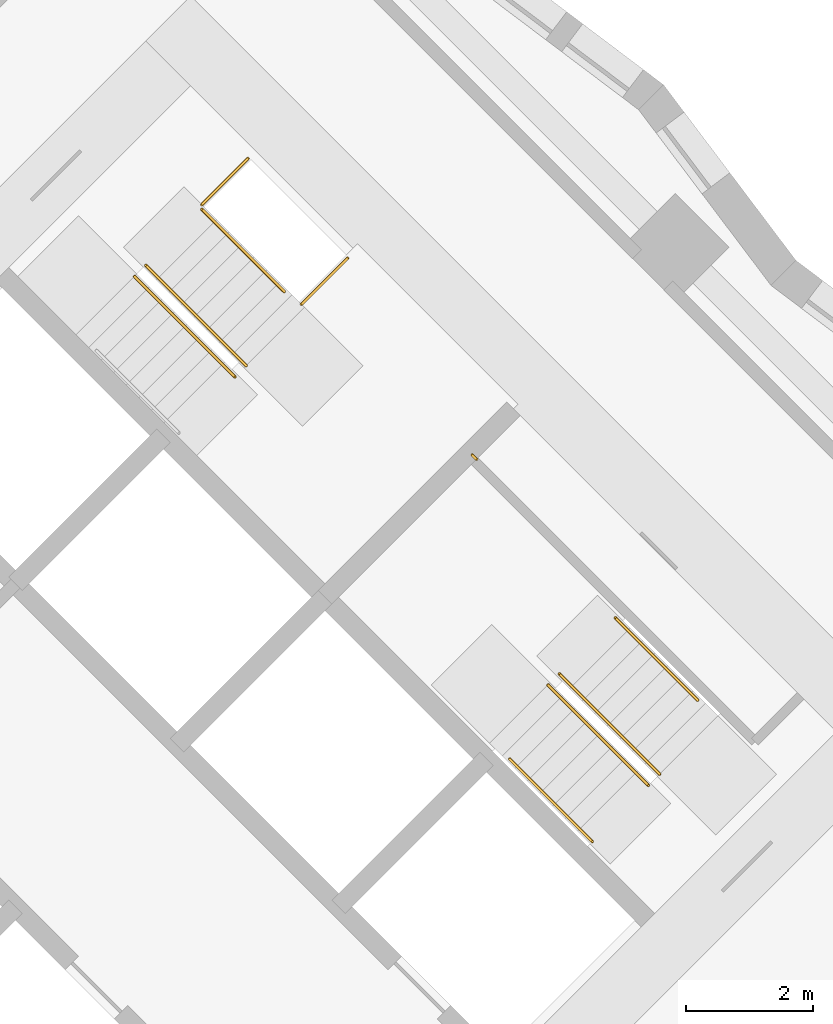
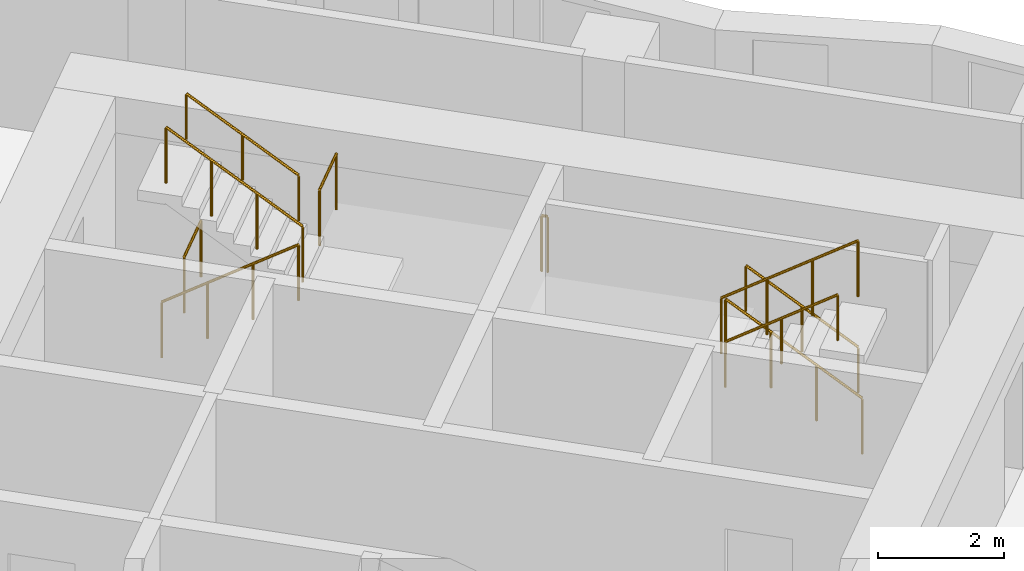
# One storey, part 12 of 12: 10 railings.
"""IFC4 building model written with IfcOpenShell, lengths in metres."""

from ifc_helpers import new_model, si_unit, direction, frame, origin, origin_2d, place, context, subcontext, project, spatial, circle, extrude, material, type_object, element, save


model = new_model("IFC4")

# Units and contexts
model_context = context("Model", 3, precision=1e-05, world=origin(), true_north=direction((0.0, 1.0)))
body_context = subcontext(model_context, "Body", "Model", "MODEL_VIEW")
ifc_project = project(units=[si_unit("LENGTHUNIT", "METRE"), si_unit("AREAUNIT", "SQUARE_METRE"), si_unit("VOLUMEUNIT", "CUBIC_METRE"), si_unit("PLANEANGLEUNIT", "RADIAN"), si_unit("MASSUNIT", "GRAM", prefix="KILO")], contexts=[model_context])

# Site, building, storey
site_placement = place(None, origin())
site = spatial("IfcSite", under=ifc_project, at=site_placement, CompositionType="ELEMENT")
building_placement = place(site_placement, origin())
building = spatial("IfcBuilding", under=site, at=building_placement, Name="Windrow Commons", CompositionType="ELEMENT")
storey_placement = place(building_placement, frame((0.0, 0.0, 47.4)))
storey = spatial("IfcBuildingStorey", under=building, at=storey_placement, Name="L12", CompositionType="ELEMENT", Elevation=47.4)

# Railings
ifc_material_1 = material(Name="Steel S355", Category="steel")
railing_type_1 = type_object("IfcRailingType", Name="Core stair guard 1100", PredefinedType="GUARDRAIL", material=ifc_material_1)
railing_1_placement = place(storey_placement, frame((85.9529, 56.2669, 0.1889)))
element("IfcRailing", 1, at=railing_1_placement, inside=storey, type_object=railing_type_1, Name="L12 ST-B1 stair guard 1", PredefinedType="GUARDRAIL", context=body_context, shape_type="SweptSolid", body=[
    extrude(circle(Radius=0.024, at=origin_2d()), frame((0.0, 0.0, 1.076), z_axis=(0.5861914914, -0.5861914914, 0.5592486664), x_axis=(0.7071067812, 0.7071067812, 0.0)), (0.0, 0.0, 1.0), 2.702),
    extrude(circle(Radius=0.021, at=origin_2d()), origin(), (0.0, 0.0, 1.0), 1.052),
    extrude(circle(Radius=0.021, at=origin_2d()), frame((0.528, -0.528, 0.5037)), (0.0, 0.0, 1.0), 1.052),
    extrude(circle(Radius=0.021, at=origin_2d()), frame((1.0559, -1.0559, 1.0074)), (0.0, 0.0, 1.0), 1.052),
    extrude(circle(Radius=0.021, at=origin_2d()), frame((1.5839, -1.5839, 1.5111)), (0.0, 0.0, 1.0), 1.052),
])
railing_2_placement = place(storey_placement, frame((87.7136, 54.8597, 1.8889)))
element("IfcRailing", 2, at=railing_2_placement, inside=storey, type_object=railing_type_1, Name="L12 ST-B1 stair guard 2", PredefinedType="GUARDRAIL", context=body_context, shape_type="SweptSolid", body=[
    extrude(circle(Radius=0.024, at=origin_2d()), frame((0.0, 0.0, 1.076), z_axis=(-0.5862030657, 0.5862030657, 0.5592244018), x_axis=(-0.7071067812, -0.7071067812, 0.0)), (0.0, 0.0, 1.0), 2.7021),
    extrude(circle(Radius=0.021, at=origin_2d()), origin(), (0.0, 0.0, 1.0), 1.052),
    extrude(circle(Radius=0.021, at=origin_2d()), frame((-0.528, 0.528, 0.5037)), (0.0, 0.0, 1.0), 1.052),
    extrude(circle(Radius=0.021, at=origin_2d()), frame((-1.056, 1.056, 1.0074)), (0.0, 0.0, 1.0), 1.052),
    extrude(circle(Radius=0.021, at=origin_2d()), frame((-1.584, 1.584, 1.5111)), (0.0, 0.0, 1.0), 1.052),
])
railing_3_placement = place(storey_placement, frame((87.0135, 57.3982, 0.0)))
element("IfcRailing", 3, at=railing_3_placement, inside=storey, type_object=railing_type_1, Name="L12 ST-B1 stair guard 3", PredefinedType="GUARDRAIL", context=body_context, shape_type="SweptSolid", body=[
    extrude(circle(Radius=0.024, at=origin_2d()), frame((0.0, 0.0, 1.076), z_axis=(0.7070582378, 0.7071553212, 0.0), x_axis=(-0.7071553212, 0.7070582378, 0.0)), (0.0, 0.0, 1.0), 1.03),
    extrude(circle(Radius=0.021, at=origin_2d()), origin(), (0.0, 0.0, 1.0), 1.052),
    extrude(circle(Radius=0.021, at=origin_2d()), frame((0.7283, 0.7284, 0.0)), (0.0, 0.0, 1.0), 1.052),
])
railing_4_placement = place(storey_placement, frame((88.5833, 55.8285, 1.7)))
element("IfcRailing", 4, at=railing_4_placement, inside=storey, type_object=railing_type_1, Name="L12 ST-B1 stair guard 4", PredefinedType="GUARDRAIL", context=body_context, shape_type="SweptSolid", body=[
    extrude(circle(Radius=0.024, at=origin_2d()), frame((0.0, 0.0, 1.076), z_axis=(0.7071067812, 0.7071067812, 0.0), x_axis=(-0.7071067812, 0.7071067812, 0.0)), (0.0, 0.0, 1.0), 1.03),
    extrude(circle(Radius=0.021, at=origin_2d()), origin(), (0.0, 0.0, 1.0), 1.052),
    extrude(circle(Radius=0.021, at=origin_2d()), frame((0.7283, 0.7283, 0.0)), (0.0, 0.0, 1.0), 1.052),
])
railing_5_placement = place(storey_placement, frame((94.2296, 48.4215, 0.1889)))
element("IfcRailing", 5, at=railing_5_placement, inside=storey, type_object=railing_type_1, Name="L12 ST-B2 stair guard 1", PredefinedType="GUARDRAIL", context=body_context, shape_type="SweptSolid", body=[
    extrude(circle(Radius=0.024, at=origin_2d()), frame((0.0, 0.0, 1.076), z_axis=(-0.5862157828, 0.5861787742, 0.5592365337), x_axis=(-0.7070844598, -0.7071291018, 0.0)), (0.0, 0.0, 1.0), 2.7021),
    extrude(circle(Radius=0.021, at=origin_2d()), origin(), (0.0, 0.0, 1.0), 1.052),
    extrude(circle(Radius=0.021, at=origin_2d()), frame((-0.528, 0.528, 0.5037)), (0.0, 0.0, 1.0), 1.052),
    extrude(circle(Radius=0.021, at=origin_2d()), frame((-1.056, 1.0559, 1.0074)), (0.0, 0.0, 1.0), 1.052),
    extrude(circle(Radius=0.021, at=origin_2d()), frame((-1.584, 1.5839, 1.5111)), (0.0, 0.0, 1.0), 1.052),
])
railing_6_placement = place(storey_placement, frame((92.4689, 49.8287, 1.8889)))
element("IfcRailing", 6, at=railing_6_placement, inside=storey, type_object=railing_type_1, Name="L12 ST-B2 stair guard 2", PredefinedType="GUARDRAIL", context=body_context, shape_type="SweptSolid", body=[
    extrude(circle(Radius=0.024, at=origin_2d()), frame((0.0, 0.0, 1.076), z_axis=(0.5861787742, -0.5862157828, 0.5592365337), x_axis=(0.7071291018, 0.7070844598, 0.0)), (0.0, 0.0, 1.0), 2.7021),
    extrude(circle(Radius=0.021, at=origin_2d()), origin(), (0.0, 0.0, 1.0), 1.052),
    extrude(circle(Radius=0.021, at=origin_2d()), frame((0.528, -0.528, 0.5037)), (0.0, 0.0, 1.0), 1.052),
    extrude(circle(Radius=0.021, at=origin_2d()), frame((1.0559, -1.056, 1.0074)), (0.0, 0.0, 1.0), 1.052),
    extrude(circle(Radius=0.021, at=origin_2d()), frame((1.5839, -1.584, 1.5111)), (0.0, 0.0, 1.0), 1.052),
])
railing_7_placement = place(storey_placement, frame((91.3446, 53.3854, 1.7)))
element("IfcRailing", 7, at=railing_7_placement, inside=storey, type_object=railing_type_1, Name="L12 ST-B2 stair guard 3", PredefinedType="GUARDRAIL", context=body_context, shape_type="SweptSolid", body=[
    extrude(circle(Radius=0.024, at=origin_2d()), frame((0.0, 0.0, 1.076), z_axis=(-0.7076063266, 0.7066068826, 0.0), x_axis=(-0.7066068826, -0.7076063266, 0.0)), (0.0, 0.0, 1.0), 0.1001),
    extrude(circle(Radius=0.021, at=origin_2d()), origin(), (0.0, 0.0, 1.0), 1.052),
    extrude(circle(Radius=0.021, at=origin_2d()), frame((-0.0708, 0.0707, 0.0)), (0.0, 0.0, 1.0), 1.052),
])
ifc_material_2 = material(Name="Steel S355", Category="steel")
railing_type_2 = type_object("IfcRailingType", Name="Core stair handrail 900", PredefinedType="HANDRAIL", material=ifc_material_2)
railing_8_placement = place(storey_placement, frame((88.3146, 56.0265, 2.1587)))
element("IfcRailing", 8, at=railing_8_placement, inside=storey, type_object=railing_type_2, Name="L12 ST-B1 stair handrail 2", PredefinedType="HANDRAIL", context=body_context, shape_type="SweptSolid", body=[
    extrude(circle(Radius=0.024, at=origin_2d()), frame((0.0, 0.0, 0.876), z_axis=(-0.586206706, 0.5861616513, 0.5592639952), x_axis=(-0.7070796062, -0.7071339551, 0.0)), (0.0, 0.0, 1.0), 2.2195),
    extrude(circle(Radius=0.021, at=origin_2d()), origin(), (0.0, 0.0, 1.0), 0.852),
    extrude(circle(Radius=0.021, at=origin_2d()), frame((-0.6506, 0.6505, 0.6206)), (0.0, 0.0, 1.0), 0.852),
    extrude(circle(Radius=0.021, at=origin_2d()), frame((-1.3011, 1.301, 1.2413)), (0.0, 0.0, 1.0), 0.852),
])
railing_9_placement = place(storey_placement, frame((94.8306, 49.5883, 0.4587)))
element("IfcRailing", 9, at=railing_9_placement, inside=storey, type_object=railing_type_2, Name="L12 ST-B2 stair handrail 1", PredefinedType="HANDRAIL", context=body_context, shape_type="SweptSolid", body=[
    extrude(circle(Radius=0.024, at=origin_2d()), frame((0.0, 0.0, 0.876), z_axis=(-0.586206706, 0.5861616513, 0.5592639952), x_axis=(-0.7070796062, -0.7071339551, 0.0)), (0.0, 0.0, 1.0), 2.2195),
    extrude(circle(Radius=0.021, at=origin_2d()), origin(), (0.0, 0.0, 1.0), 0.852),
    extrude(circle(Radius=0.021, at=origin_2d()), frame((-0.6506, 0.6505, 0.6207)), (0.0, 0.0, 1.0), 0.852),
    extrude(circle(Radius=0.021, at=origin_2d()), frame((-1.3011, 1.301, 1.2413)), (0.0, 0.0, 1.0), 0.852),
])
railing_10_placement = place(storey_placement, frame((91.8678, 48.6619, 2.1587)))
element("IfcRailing", 10, at=railing_10_placement, inside=storey, type_object=railing_type_2, Name="L12 ST-B2 stair handrail 2", PredefinedType="HANDRAIL", context=body_context, shape_type="SweptSolid", body=[
    extrude(circle(Radius=0.024, at=origin_2d()), frame((0.0, 0.0, 0.876), z_axis=(0.586206706, -0.5861616513, 0.5592639952), x_axis=(0.7070796062, 0.7071339551, 0.0)), (0.0, 0.0, 1.0), 2.2195),
    extrude(circle(Radius=0.021, at=origin_2d()), origin(), (0.0, 0.0, 1.0), 0.852),
    extrude(circle(Radius=0.021, at=origin_2d()), frame((0.6505, -0.6505, 0.6206)), (0.0, 0.0, 1.0), 0.852),
    extrude(circle(Radius=0.021, at=origin_2d()), frame((1.3011, -1.301, 1.2413)), (0.0, 0.0, 1.0), 0.852),
])

save(model, "model.ifc")
